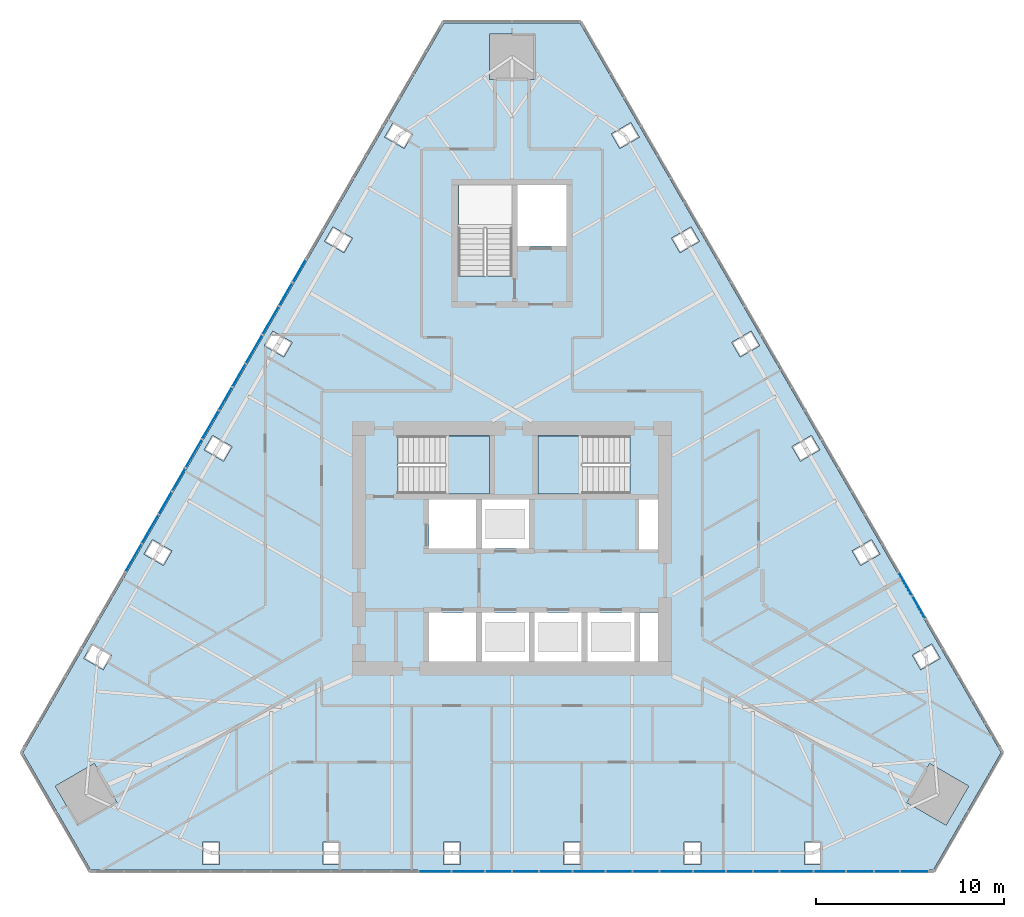
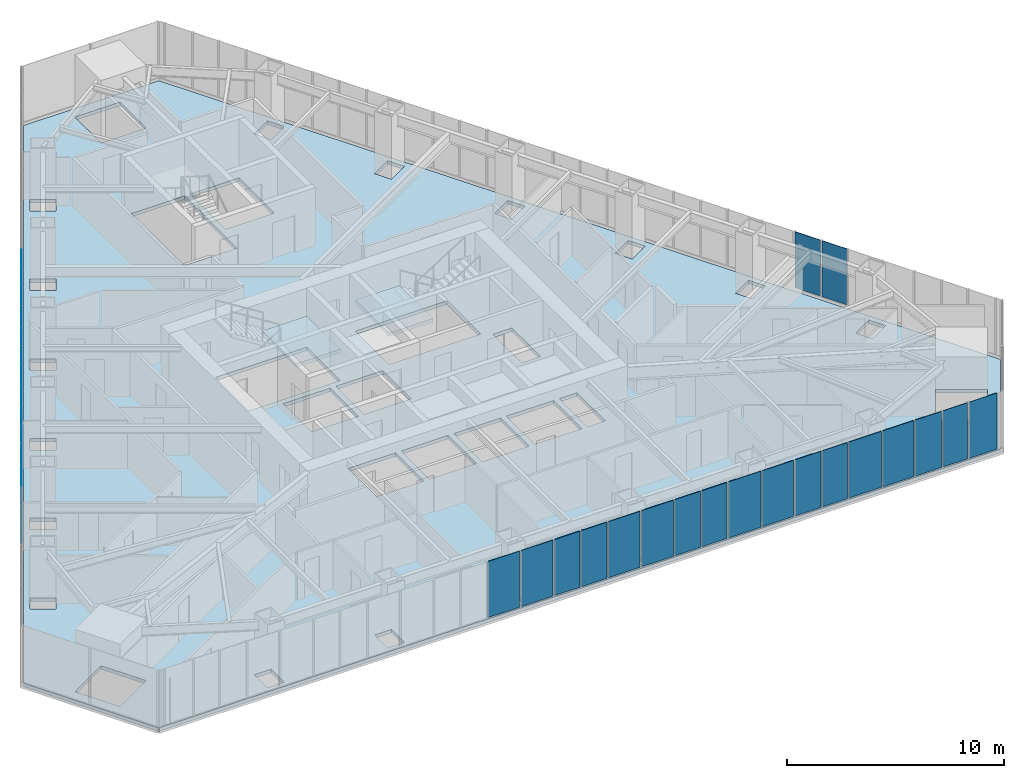
# One storey, part 12 of 21: 31 plates, 3 slabs, 5 elements without a shape of their own.
"""IFC4 building model written with IfcOpenShell, lengths in metres."""

from ifc_helpers import new_model, si_unit, direction, frame, origin, place, context, subcontext, project, spatial, polyline, outline, extrude, material, layer, layer_set, type_object, element, aggregate, save


model = new_model("IFC4")

# Units and contexts
model_context = context("Model", 3, precision=1e-05, world=origin(), true_north=direction((0.0, 1.0)))
body_context = subcontext(model_context, "Body", "Model", "MODEL_VIEW")
ifc_project = project(units=[si_unit("LENGTHUNIT", "METRE"), si_unit("AREAUNIT", "SQUARE_METRE"), si_unit("VOLUMEUNIT", "CUBIC_METRE"), si_unit("PLANEANGLEUNIT", "RADIAN"), si_unit("MASSUNIT", "GRAM", prefix="KILO")], contexts=[model_context])

# Site, building, storey
site_placement = place(None, origin())
site = spatial("IfcSite", under=ifc_project, at=site_placement, CompositionType="ELEMENT")
building_placement = place(site_placement, origin())
building = spatial("IfcBuilding", under=site, at=building_placement, Name="Firuza Gate Tower and Library", CompositionType="ELEMENT")
storey_placement = place(building_placement, frame((0.0, 0.0, 284.60009765625)))
storey = spatial("IfcBuildingStorey", under=building, at=storey_placement, Name="L68", CompositionType="ELEMENT", Elevation=284.60009765625)

# Slab
ifc_material_1 = material(Name="Concrete C40/50", Category="concrete")
ifc_layer_1 = layer(ifc_material_1, 0.199951171875)
ifc_layer_set_1 = layer_set([ifc_layer_1], Name="Composite floor slab 200 C40/50")
slab_type_1 = type_object("IfcSlabType", Name="Composite floor slab 200 C40/50", PredefinedType="FLOOR", material=ifc_layer_set_1)
slab_1_placement = place(storey_placement, frame((0.0, 0.0, -0.2001953125)))
element("IfcSlab", 1, at=slab_1_placement, inside=storey, type_object=slab_type_1, Name="Floor slab L68", PredefinedType="FLOOR", context=body_context, shape_type="SweptSolid", body=[
    extrude(outline(polyline([(49.037353515625, 64.16748046875), (52.637451171875, 57.931884765625), (97.362548828125, 57.931884765625), (100.962646484375, 64.16748046875), (78.60009765625, 102.900634765625), (71.39990234375, 102.900634765625), (49.037353515625, 64.16748046875)]), holes=[polyline([(58.57666015625, 58.23193359375), (58.57666015625, 59.431884765625), (59.4765625, 59.431884765625), (59.4765625, 58.23193359375), (58.57666015625, 58.23193359375)]), polyline([(64.966064453125, 58.23193359375), (64.966064453125, 59.431884765625), (65.865966796875, 59.431884765625), (65.865966796875, 58.23193359375), (64.966064453125, 58.23193359375)]), polyline([(71.355224609375, 58.23193359375), (71.355224609375, 59.431884765625), (72.25537109375, 59.431884765625), (72.25537109375, 58.23193359375), (71.355224609375, 58.23193359375)]), polyline([(50.7568359375, 62.388916015625), (52.83544921875, 63.5888671875), (54.035400390625, 61.510498046875), (51.95703125, 60.310546875), (50.7568359375, 62.388916015625)]), polyline([(52.716796875, 69.9404296875), (53.756103515625, 69.34033203125), (53.30615234375, 68.56103515625), (52.266845703125, 69.160888671875), (52.716796875, 69.9404296875)]), polyline([(73.10009765625, 69.0), (70.60009765625, 69.0), (70.60009765625, 71.60009765625), (73.10009765625, 71.60009765625), (73.10009765625, 69.0)]), polyline([(75.89990234375, 69.0), (73.39990234375, 69.0), (73.39990234375, 71.60009765625), (75.89990234375, 71.60009765625), (75.89990234375, 69.0)]), polyline([(55.911376953125, 75.4736328125), (56.95068359375, 74.873779296875), (56.500732421875, 74.09423828125), (55.46142578125, 74.6943359375), (55.911376953125, 75.4736328125)]), polyline([(73.10009765625, 75.0), (70.60009765625, 75.0), (70.60009765625, 77.60009765625), (73.10009765625, 77.60009765625), (73.10009765625, 75.0)]), polyline([(75.89990234375, 75.0), (73.39990234375, 75.0), (73.39990234375, 77.60009765625), (75.89990234375, 77.60009765625), (75.89990234375, 75.0)]), polyline([(68.9404296875, 77.89990234375), (68.9404296875, 80.97998046875), (73.81005859375, 80.97998046875), (73.81005859375, 77.89990234375), (68.9404296875, 77.89990234375)]), polyline([(59.106201171875, 81.007080078125), (60.145263671875, 80.406982421875), (59.6953125, 79.627685546875), (58.65625, 80.2275390625), (59.106201171875, 81.007080078125)]), polyline([(62.30078125, 86.540283203125), (63.340087890625, 85.9404296875), (62.89013671875, 85.160888671875), (61.850830078125, 85.760986328125), (62.30078125, 86.540283203125)]), polyline([(65.495361328125, 92.07373046875), (66.53466796875, 91.4736328125), (66.084716796875, 90.6943359375), (65.04541015625, 91.294189453125), (65.495361328125, 92.07373046875)]), polyline([(72.159912109375, 89.470458984375), (72.159912109375, 94.300048828125), (75.0, 94.300048828125), (75.0, 89.470458984375), (72.159912109375, 89.470458984375)]), polyline([(68.690185546875, 97.60693359375), (69.7294921875, 97.007080078125), (69.279296875, 96.2275390625), (68.240234375, 96.82763671875), (68.690185546875, 97.60693359375)]), polyline([(76.199951171875, 102.300537109375), (76.199951171875, 99.900634765625), (73.800048828125, 99.900634765625), (73.800048828125, 102.300537109375), (76.199951171875, 102.300537109375)]), polyline([(77.74462890625, 58.23193359375), (77.74462890625, 59.431884765625), (78.644775390625, 59.431884765625), (78.644775390625, 58.23193359375), (77.74462890625, 58.23193359375)]), polyline([(84.134033203125, 58.23193359375), (84.134033203125, 59.431884765625), (85.033935546875, 59.431884765625), (85.033935546875, 58.23193359375), (84.134033203125, 58.23193359375)]), polyline([(90.5234375, 58.23193359375), (90.5234375, 59.431884765625), (91.42333984375, 59.431884765625), (91.42333984375, 58.23193359375), (90.5234375, 58.23193359375)]), polyline([(98.04296875, 60.310546875), (95.964599609375, 61.510498046875), (97.16455078125, 63.5888671875), (99.2431640625, 62.388916015625), (98.04296875, 60.310546875)]), polyline([(97.733154296875, 69.160888671875), (96.69384765625, 68.56103515625), (96.243896484375, 69.34033203125), (97.283203125, 69.9404296875), (97.733154296875, 69.160888671875)]), polyline([(78.699951171875, 69.0), (76.199951171875, 69.0), (76.199951171875, 71.60009765625), (78.699951171875, 71.60009765625), (78.699951171875, 69.0)]), polyline([(81.5, 69.0), (79.0, 69.0), (79.0, 71.60009765625), (81.5, 71.60009765625), (81.5, 69.0)]), polyline([(82.75, 69.0), (81.800048828125, 69.0), (81.800048828125, 71.60009765625), (82.75, 71.60009765625), (82.75, 69.0)]), polyline([(94.53857421875, 74.6943359375), (93.499267578125, 74.09423828125), (93.04931640625, 74.873779296875), (94.088623046875, 75.4736328125), (94.53857421875, 74.6943359375)]), polyline([(82.75, 74.949951171875), (81.75, 74.949951171875), (81.75, 77.60009765625), (82.75, 77.60009765625), (82.75, 74.949951171875)]), polyline([(81.259521484375, 80.97998046875), (81.259521484375, 77.89990234375), (76.389892578125, 77.89990234375), (76.389892578125, 80.97998046875), (81.259521484375, 80.97998046875)]), polyline([(91.34375, 80.2275390625), (90.3046875, 79.627685546875), (89.854736328125, 80.406982421875), (90.893798828125, 81.007080078125), (91.34375, 80.2275390625)]), polyline([(88.149169921875, 85.760986328125), (87.10986328125, 85.160888671875), (86.659912109375, 85.9404296875), (87.69921875, 86.540283203125), (88.149169921875, 85.760986328125)]), polyline([(84.95458984375, 91.294189453125), (83.915283203125, 90.6943359375), (83.46533203125, 91.4736328125), (84.504638671875, 92.07373046875), (84.95458984375, 91.294189453125)]), polyline([(75.300048828125, 91.050048828125), (75.300048828125, 94.300048828125), (77.89990234375, 94.300048828125), (77.89990234375, 91.050048828125), (75.300048828125, 91.050048828125)]), polyline([(80.720703125, 96.2275390625), (80.2705078125, 97.007080078125), (81.309814453125, 97.60693359375), (81.759765625, 96.82763671875), (80.720703125, 96.2275390625)])]), origin(), (0.0, 0.0, 1.0), 0.2001953125),
])

# Curtain wall, plates
ifc_material_2 = material(Name="Aluminium 6063-T6", Category="aluminium")
ifc_layer_2 = layer(ifc_material_2, 0.14990234375)
ifc_layer_set_2 = layer_set([ifc_layer_2], Name="Unitised curtain wall, residences")
curtain_wall_type = type_object("IfcCurtainWallType", Name="Unitised curtain wall, residences", PredefinedType="NOTDEFINED", material=ifc_layer_set_2)
placement_1 = place(storey_placement, origin())
curtain_wall_1 = element("IfcCurtainWall", 2, at=placement_1, inside=storey, type_object=curtain_wall_type, Name="CW3 L68 S face", PredefinedType="NOTDEFINED")
ifc_material_3 = material(Name="Fritted glass", Category="glass")
ifc_layer_3 = layer(ifc_material_3, 0.030029296875)
ifc_layer_set_3 = layer_set([ifc_layer_3], Name="Fritted glass unit, residences")
plate_type_1 = type_object("IfcPlateType", Name="Fritted glass unit, residences", PredefinedType="CURTAIN_PANEL", material=ifc_layer_set_3)
plate_1_placement = place(storey_placement, frame((70.0791015625, 57.842041015625, 0.14990234375), z_axis=(0.0, -1.0, 0.0), x_axis=(1.0, 0.0, 0.0)))
plate_1 = element("IfcPlate", 3, at=plate_1_placement, type_object=plate_type_1, Name="Glass unit", PredefinedType="CURTAIN_PANEL", context=body_context, shape_type="SweptSolid", body=[
    extrude(outline(polyline([(0.0, 0.0), (1.679931640625, 0.0), (1.679931640625, 3.14990234375), (0.0, 3.14990234375), (0.0, 0.0)])), origin(), (0.0, 0.0, -1.0), 0.030029296875),
])
plate_2_placement = place(storey_placement, frame((71.839111328125, 57.842041015625, 0.14990234375), z_axis=(0.0, -1.0, 0.0), x_axis=(1.0, 0.0, 0.0)))
plate_2 = element("IfcPlate", 4, at=plate_2_placement, type_object=plate_type_1, Name="Glass unit", PredefinedType="CURTAIN_PANEL", context=body_context, shape_type="SweptSolid", body=[
    extrude(outline(polyline([(0.0, 0.0), (1.692626953125, 0.0), (1.692626953125, 3.14990234375), (0.0, 3.14990234375), (0.0, 0.0)])), origin(), (0.0, 0.0, -1.0), 0.030029296875),
])
plate_3_placement = place(storey_placement, frame((76.46826171875, 57.842041015625, 0.14990234375), z_axis=(0.0, -1.0, 0.0), x_axis=(1.0, 0.0, 0.0)))
plate_3 = element("IfcPlate", 5, at=plate_3_placement, type_object=plate_type_1, Name="Glass unit", PredefinedType="CURTAIN_PANEL", context=body_context, shape_type="SweptSolid", body=[
    extrude(outline(polyline([(0.0, 0.0), (1.692626953125, 0.0), (1.692626953125, 3.14990234375), (0.0, 3.14990234375), (0.0, 0.0)])), origin(), (0.0, 0.0, -1.0), 0.030029296875),
])
plate_4_placement = place(storey_placement, frame((78.240966796875, 57.842041015625, 0.14990234375), z_axis=(0.0, -1.0, 0.0), x_axis=(1.0, 0.0, 0.0)))
plate_4 = element("IfcPlate", 6, at=plate_4_placement, type_object=plate_type_1, Name="Glass unit", PredefinedType="CURTAIN_PANEL", context=body_context, shape_type="SweptSolid", body=[
    extrude(outline(polyline([(0.0, 0.0), (1.679931640625, 0.0), (1.679931640625, 3.14990234375), (0.0, 3.14990234375), (0.0, 0.0)])), origin(), (0.0, 0.0, -1.0), 0.030029296875),
])
plate_5_placement = place(storey_placement, frame((82.857666015625, 57.842041015625, 0.14990234375), z_axis=(0.0, -1.0, 0.0), x_axis=(1.0, 0.0, 0.0)))
plate_5 = element("IfcPlate", 7, at=plate_5_placement, type_object=plate_type_1, Name="Glass unit", PredefinedType="CURTAIN_PANEL", context=body_context, shape_type="SweptSolid", body=[
    extrude(outline(polyline([(0.0, 0.0), (1.704833984375, 0.0), (1.704833984375, 3.14990234375), (0.0, 3.14990234375), (0.0, 0.0)])), origin(), (0.0, 0.0, -1.0), 0.030029296875),
])
plate_6_placement = place(storey_placement, frame((84.642578125, 57.842041015625, 0.14990234375), z_axis=(0.0, -1.0, 0.0), x_axis=(1.0, 0.0, 0.0)))
plate_6 = element("IfcPlate", 8, at=plate_6_placement, type_object=plate_type_1, Name="Glass unit", PredefinedType="CURTAIN_PANEL", context=body_context, shape_type="SweptSolid", body=[
    extrude(outline(polyline([(0.0, 0.0), (1.667724609375, 0.0), (1.667724609375, 3.14990234375), (0.0, 3.14990234375), (0.0, 0.0)])), origin(), (0.0, 0.0, -1.0), 0.030029296875),
])
plate_7_placement = place(storey_placement, frame((89.2470703125, 57.842041015625, 0.14990234375), z_axis=(0.0, -1.0, 0.0), x_axis=(1.0, 0.0, 0.0)))
plate_7 = element("IfcPlate", 9, at=plate_7_placement, type_object=plate_type_1, Name="Glass unit", PredefinedType="CURTAIN_PANEL", context=body_context, shape_type="SweptSolid", body=[
    extrude(outline(polyline([(0.0, 0.0), (1.71728515625, 0.0), (1.71728515625, 3.14990234375), (0.0, 3.14990234375), (0.0, 0.0)])), origin(), (0.0, 0.0, -1.0), 0.030029296875),
])
plate_8_placement = place(storey_placement, frame((91.044189453125, 57.842041015625, 0.14990234375), z_axis=(0.0, -1.0, 0.0), x_axis=(1.0, 0.0, 0.0)))
plate_8 = element("IfcPlate", 10, at=plate_8_placement, type_object=plate_type_1, Name="Glass unit", PredefinedType="CURTAIN_PANEL", context=body_context, shape_type="SweptSolid", body=[
    extrude(outline(polyline([(0.0, 0.0), (1.655517578125, 0.0), (1.655517578125, 3.14990234375), (0.0, 3.14990234375), (0.0, 0.0)])), origin(), (0.0, 0.0, -1.0), 0.030029296875),
])
plate_9_placement = place(storey_placement, frame((95.63623046875, 57.842041015625, 0.14990234375), z_axis=(0.0, -1.0, 0.0), x_axis=(1.0, 0.0, 0.0)))
plate_9 = element("IfcPlate", 11, at=plate_9_placement, type_object=plate_type_1, Name="Glass unit", PredefinedType="CURTAIN_PANEL", context=body_context, shape_type="SweptSolid", body=[
    extrude(outline(polyline([(0.0, 0.0), (1.463623046875, 0.0), (1.463623046875, 3.14990234375), (0.0, 3.14990234375), (0.0, 0.0)])), origin(), (0.0, 0.0, -1.0), 0.030029296875),
])

curtain_wall_2 = element("IfcCurtainWall", 12, at=placement_1, inside=storey, type_object=curtain_wall_type, Name="CW3 L68 W face", PredefinedType="NOTDEFINED")
plate_10_placement = place(storey_placement, frame((62.601318359375, 87.8408203125, 0.14990234375), z_axis=(-0.866025882247, 0.499999171277, 0.0), x_axis=(-0.499999171277, -0.866025882247, 0.0)))
plate_10 = element("IfcPlate", 13, at=plate_10_placement, type_object=plate_type_1, Name="Glass unit", PredefinedType="CURTAIN_PANEL", context=body_context, shape_type="SweptSolid", body=[
    extrude(outline(polyline([(0.0, 0.0), (1.6801785660542983, 0.0), (1.6801785660542983, 3.14990234375), (0.0, 3.14990234375), (0.0, 0.0)])), origin(), (0.0, 0.0, -1.0), 0.030029296875),
])
plate_11_placement = place(storey_placement, frame((61.72119140625, 86.31640625, 0.14990234375), z_axis=(-0.866051074803, 0.499955533855, 0.0), x_axis=(-0.499955533855, -0.866051074803, 0.0)))
plate_11 = element("IfcPlate", 14, at=plate_11_placement, type_object=plate_type_1, Name="Glass unit", PredefinedType="CURTAIN_PANEL", context=body_context, shape_type="SweptSolid", body=[
    extrude(outline(polyline([(0.0, 0.0), (1.692533333364206, 0.0), (1.692533333364206, 3.14990234375), (0.0, 3.14990234375), (0.0, 0.0)])), origin(), (0.0, 0.0, -1.0), 0.030029296875),
])
plate_12_placement = place(storey_placement, frame((59.406494140625, 82.307373046875, 0.14990234375), z_axis=(-0.866051074803, 0.499955533855, 0.0), x_axis=(-0.499955533855, -0.866051074803, 0.0)))
plate_12 = element("IfcPlate", 15, at=plate_12_placement, type_object=plate_type_1, Name="Glass unit", PredefinedType="CURTAIN_PANEL", context=body_context, shape_type="SweptSolid", body=[
    extrude(outline(polyline([(0.0, 0.0), (1.692533333364206, 0.0), (1.692533333364206, 3.14990234375), (0.0, 3.14990234375), (0.0, 0.0)])), origin(), (0.0, 0.0, -1.0), 0.030029296875),
])
plate_13_placement = place(storey_placement, frame((58.520263671875, 80.7724609375, 0.14990234375), z_axis=(-0.866025882247, 0.499999171277, 0.0), x_axis=(-0.499999171277, -0.866025882247, 0.0)))
plate_13 = element("IfcPlate", 16, at=plate_13_placement, type_object=plate_type_1, Name="Glass unit", PredefinedType="CURTAIN_PANEL", context=body_context, shape_type="SweptSolid", body=[
    extrude(outline(polyline([(0.0, 0.0), (1.6801785660542983, 0.0), (1.6801785660542983, 3.14990234375), (0.0, 3.14990234375), (0.0, 0.0)])), origin(), (0.0, 0.0, -1.0), 0.030029296875),
])
plate_14_placement = place(storey_placement, frame((56.2119140625, 76.774169921875, 0.14990234375), z_axis=(-0.866013897511, 0.50001992892, 0.0), x_axis=(-0.50001992892, -0.866013897511, 0.0)))
plate_14 = element("IfcPlate", 17, at=plate_14_placement, type_object=plate_type_1, Name="Glass unit", PredefinedType="CURTAIN_PANEL", context=body_context, shape_type="SweptSolid", body=[
    extrude(outline(polyline([(0.0, 0.0), (1.7050101669769095, 0.0), (1.7050101669769095, 3.14990234375), (0.0, 3.14990234375), (0.0, 0.0)])), origin(), (0.0, 0.0, -1.0), 0.030029296875),
])
plate_15_placement = place(storey_placement, frame((55.3193359375, 75.228271484375, 0.14990234375), z_axis=(-0.866063701145, 0.499933661158, 0.0), x_axis=(-0.499933661158, -0.866063701145, 0.0)))
plate_15 = element("IfcPlate", 18, at=plate_15_placement, type_object=plate_type_1, Name="Glass unit", PredefinedType="CURTAIN_PANEL", context=body_context, shape_type="SweptSolid", body=[
    extrude(outline(polyline([(0.0, 0.0), (1.667701735553958, 0.0), (1.667701735553958, 3.149902343750001), (0.0, 3.149902343750001), (0.0, 0.0)])), origin(), (0.0, 0.0, -1.0), 0.030029296875),
])

# Plate
ifc_material_4 = material(Name="Glazed ceramic tile")
ifc_layer_4 = layer(ifc_material_4, 0.030029296875)
ifc_layer_set_4 = layer_set([ifc_layer_4], Name="Opaque ceramic panel, residences")
plate_type_2 = type_object("IfcPlateType", Name="Opaque ceramic panel, residences", PredefinedType="CURTAIN_PANEL", material=ifc_layer_set_4)
plate_16_placement = place(storey_placement, frame((73.611572265625, 57.842041015625, 0.14990234375), z_axis=(0.0, -1.0, 0.0), x_axis=(1.0, 0.0, 0.0)))
plate_16 = element("IfcPlate", 19, at=plate_16_placement, type_object=plate_type_2, Name="Opaque ceramic panel", PredefinedType="CURTAIN_PANEL", context=body_context, shape_type="SweptSolid", body=[
    extrude(outline(polyline([(0.0, 0.0), (1.348388671875, 0.0), (1.348388671875, 3.14990234375), (0.0, 3.14990234375), (0.0, 0.0)])), origin(), (0.0, 0.0, -1.0), 0.030029296875),
])

plate_17_placement = place(storey_placement, frame((75.0400390625, 57.842041015625, 0.14990234375), z_axis=(0.0, -1.0, 0.0), x_axis=(1.0, 0.0, 0.0)))
plate_17 = element("IfcPlate", 20, at=plate_17_placement, type_object=plate_type_2, Name="Opaque ceramic panel", PredefinedType="CURTAIN_PANEL", context=body_context, shape_type="SweptSolid", body=[
    extrude(outline(polyline([(0.0, 0.0), (1.348388671875, 0.0), (1.348388671875, 3.14990234375), (0.0, 3.14990234375), (0.0, 0.0)])), origin(), (0.0, 0.0, -1.0), 0.030029296875),
])

plate_18_placement = place(storey_placement, frame((80.0009765625, 57.842041015625, 0.14990234375), z_axis=(0.0, -1.0, 0.0), x_axis=(1.0, 0.0, 0.0)))
plate_18 = element("IfcPlate", 21, at=plate_18_placement, type_object=plate_type_2, Name="Opaque ceramic panel", PredefinedType="CURTAIN_PANEL", context=body_context, shape_type="SweptSolid", body=[
    extrude(outline(polyline([(0.0, 0.0), (1.36083984375, 0.0), (1.36083984375, 3.14990234375), (0.0, 3.14990234375), (0.0, 0.0)])), origin(), (0.0, 0.0, -1.0), 0.030029296875),
])

plate_19_placement = place(storey_placement, frame((81.441650390625, 57.842041015625, 0.14990234375), z_axis=(0.0, -1.0, 0.0), x_axis=(1.0, 0.0, 0.0)))
plate_19 = element("IfcPlate", 22, at=plate_19_placement, type_object=plate_type_2, Name="Opaque ceramic panel", PredefinedType="CURTAIN_PANEL", context=body_context, shape_type="SweptSolid", body=[
    extrude(outline(polyline([(0.0, 0.0), (1.3359375, 0.0), (1.3359375, 3.14990234375), (0.0, 3.14990234375), (0.0, 0.0)])), origin(), (0.0, 0.0, -1.0), 0.030029296875),
])

plate_20_placement = place(storey_placement, frame((86.390380859375, 57.842041015625, 0.14990234375), z_axis=(0.0, -1.0, 0.0), x_axis=(1.0, 0.0, 0.0)))
plate_20 = element("IfcPlate", 23, at=plate_20_placement, type_object=plate_type_2, Name="Opaque ceramic panel", PredefinedType="CURTAIN_PANEL", context=body_context, shape_type="SweptSolid", body=[
    extrude(outline(polyline([(0.0, 0.0), (1.373046875, 0.0), (1.373046875, 3.14990234375), (0.0, 3.14990234375), (0.0, 0.0)])), origin(), (0.0, 0.0, -1.0), 0.030029296875),
])

plate_21_placement = place(storey_placement, frame((87.843505859375, 57.842041015625, 0.14990234375), z_axis=(0.0, -1.0, 0.0), x_axis=(1.0, 0.0, 0.0)))
plate_21 = element("IfcPlate", 24, at=plate_21_placement, type_object=plate_type_2, Name="Opaque ceramic panel", PredefinedType="CURTAIN_PANEL", context=body_context, shape_type="SweptSolid", body=[
    extrude(outline(polyline([(0.0, 0.0), (1.323486328125, 0.0), (1.323486328125, 3.14990234375), (0.0, 3.14990234375), (0.0, 0.0)])), origin(), (0.0, 0.0, -1.0), 0.030029296875),
])

plate_22_placement = place(storey_placement, frame((92.77978515625, 57.842041015625, 0.14990234375), z_axis=(0.0, -1.0, 0.0), x_axis=(1.0, 0.0, 0.0)))
plate_22 = element("IfcPlate", 25, at=plate_22_placement, type_object=plate_type_2, Name="Opaque ceramic panel", PredefinedType="CURTAIN_PANEL", context=body_context, shape_type="SweptSolid", body=[
    extrude(outline(polyline([(0.0, 0.0), (1.38525390625, 0.0), (1.38525390625, 3.14990234375), (0.0, 3.14990234375), (0.0, 0.0)])), origin(), (0.0, 0.0, -1.0), 0.030029296875),
])

plate_23_placement = place(storey_placement, frame((94.2451171875, 57.842041015625, 0.14990234375), z_axis=(0.0, -1.0, 0.0), x_axis=(1.0, 0.0, 0.0)))
plate_23 = element("IfcPlate", 26, at=plate_23_placement, type_object=plate_type_2, Name="Opaque ceramic panel", PredefinedType="CURTAIN_PANEL", context=body_context, shape_type="SweptSolid", body=[
    extrude(outline(polyline([(0.0, 0.0), (1.311279296875, 0.0), (1.311279296875, 3.14990234375), (0.0, 3.14990234375), (0.0, 0.0)])), origin(), (0.0, 0.0, -1.0), 0.030029296875),
])

aggregate(curtain_wall_1, [plate_1, plate_2, plate_16, plate_17, plate_3, plate_4, plate_18, plate_19, plate_5, plate_6, plate_20, plate_21, plate_7, plate_8, plate_22, plate_23, plate_9])

# Curtain wall, plates
curtain_wall_3 = element("IfcCurtainWall", 27, at=placement_1, inside=storey, type_object=curtain_wall_type, Name="CW3 L68 E face", PredefinedType="NOTDEFINED")
plate_24_placement = place(storey_placement, frame((96.94287109375, 71.31005859375, 0.14990234375), z_axis=(0.865998207978, 0.500047101561, 0.0), x_axis=(-0.500047101561, 0.865998207978, 0.0)))
plate_24 = element("IfcPlate", 28, at=plate_24_placement, type_object=plate_type_2, Name="Opaque ceramic panel", PredefinedType="CURTAIN_PANEL", context=body_context, shape_type="SweptSolid", body=[
    extrude(outline(polyline([(0.0, 0.0), (1.3236057809538038, 0.0), (1.3236057809538038, 3.149902343750001), (0.0, 3.149902343750001), (0.0, 0.0)])), origin(), (0.0, 0.0, -1.0), 0.030029296875),
])
plate_25_placement = place(storey_placement, frame((96.240966796875, 72.525634765625, 0.14990234375), z_axis=(0.866001980287, 0.500040568494, 0.0), x_axis=(-0.500040568494, 0.866001980287, 0.0)))
plate_25 = element("IfcPlate", 29, at=plate_25_placement, type_object=plate_type_2, Name="Opaque ceramic panel", PredefinedType="CURTAIN_PANEL", context=body_context, shape_type="SweptSolid", body=[
    extrude(outline(polyline([(0.0, 0.0), (1.372935479150524, 0.0), (1.372935479150524, 3.14990234375), (0.0, 3.14990234375), (0.0, 0.0)])), origin(), (0.0, 0.0, -1.0), 0.030029296875),
])
aggregate(curtain_wall_3, [plate_24, plate_25])

# Plate
plate_26_placement = place(storey_placement, frame((64.029541015625, 90.314697265625, 0.14990234375), z_axis=(-0.866030383119, 0.499991375441, 0.0), x_axis=(-0.499991375441, -0.866030383119, 0.0)))
plate_26 = element("IfcPlate", 30, at=plate_26_placement, type_object=plate_type_2, Name="Opaque ceramic panel", PredefinedType="CURTAIN_PANEL", context=body_context, shape_type="SweptSolid", body=[
    extrude(outline(polyline([(0.0, 0.0), (1.3359605441420428, 0.0), (1.3359605441420428, 3.14990234375), (0.0, 3.14990234375), (0.0, 0.0)])), origin(), (0.0, 0.0, -1.0), 0.030029296875),
])

plate_27_placement = place(storey_placement, frame((63.321533203125, 89.08837890625, 0.14990234375), z_axis=(-0.866015284814, 0.500017526161, 0.0), x_axis=(-0.500017526161, -0.866015284814, 0.0)))
plate_27 = element("IfcPlate", 31, at=plate_27_placement, type_object=plate_type_2, Name="Opaque ceramic panel", PredefinedType="CURTAIN_PANEL", context=body_context, shape_type="SweptSolid", body=[
    extrude(outline(polyline([(0.0, 0.0), (1.3607921448263887, 0.0), (1.3607921448263887, 3.1499023437499996), (0.0, 3.1499023437499996), (0.0, 0.0)])), origin(), (0.0, 0.0, -1.0), 0.030029296875),
])

plate_28_placement = place(storey_placement, frame((60.8349609375, 84.78125, 0.14990234375), z_axis=(-0.865938274818, 0.50015088144, 0.0), x_axis=(-0.50015088144, -0.865938274818, 0.0)))
plate_28 = element("IfcPlate", 32, at=plate_28_placement, type_object=plate_type_2, Name="Opaque ceramic panel", PredefinedType="CURTAIN_PANEL", context=body_context, shape_type="SweptSolid", body=[
    extrude(outline(polyline([(0.0, 0.0), (1.3482259679484871, 0.0), (1.3482259679484871, 3.14990234375), (0.0, 3.14990234375), (0.0, 0.0)])), origin(), (0.0, 0.0, -1.0), 0.030029296875),
])

plate_29_placement = place(storey_placement, frame((60.12060546875, 83.54443359375, 0.14990234375), z_axis=(-0.866061965123, 0.499936668556, 0.0), x_axis=(-0.499936668556, -0.866061965123, 0.0)))
plate_29 = element("IfcPlate", 33, at=plate_29_placement, type_object=plate_type_2, Name="Opaque ceramic panel", PredefinedType="CURTAIN_PANEL", context=body_context, shape_type="SweptSolid", body=[
    extrude(outline(polyline([(0.0, 0.0), (1.348315312760638, 0.0), (1.348315312760638, 3.14990234375), (0.0, 3.14990234375), (0.0, 0.0)])), origin(), (0.0, 0.0, -1.0), 0.030029296875),
])

plate_30_placement = place(storey_placement, frame((57.64013671875, 79.248046875, 0.14990234375), z_axis=(-0.866092970241, 0.499882953199, 0.0), x_axis=(-0.499882953199, -0.866092970241, 0.0)))
plate_30 = element("IfcPlate", 34, at=plate_30_placement, type_object=plate_type_2, Name="Opaque ceramic panel", PredefinedType="CURTAIN_PANEL", context=body_context, shape_type="SweptSolid", body=[
    extrude(outline(polyline([(0.0, 0.0), (1.3606700866616677, 0.0), (1.3606700866616677, 3.14990234375), (0.0, 3.14990234375), (0.0, 0.0)])), origin(), (0.0, 0.0, -1.0), 0.030029296875),
])

plate_31_placement = place(storey_placement, frame((56.919921875, 78.000244140625, 0.14990234375), z_axis=(-0.866030383119, 0.499991375441, 0.0), x_axis=(-0.499991375441, -0.866030383119, 0.0)))
plate_31 = element("IfcPlate", 35, at=plate_31_placement, type_object=plate_type_2, Name="Opaque ceramic panel", PredefinedType="CURTAIN_PANEL", context=body_context, shape_type="SweptSolid", body=[
    extrude(outline(polyline([(0.0, 0.0), (1.3359605441420428, 0.0), (1.3359605441420428, 3.14990234375), (0.0, 3.14990234375), (0.0, 0.0)])), origin(), (0.0, 0.0, -1.0), 0.030029296875),
])

aggregate(curtain_wall_2, [plate_26, plate_27, plate_10, plate_11, plate_28, plate_29, plate_12, plate_13, plate_30, plate_31, plate_14, plate_15])

# Stair, slab
ifc_material_5 = material(Name="Concrete C35/45", Category="concrete")
stair_type = type_object("IfcStairType", Name="Exit stair ST8", PredefinedType="HALF_TURN_STAIR", material=ifc_material_5)
stair_1 = element("IfcStair", 36, at=placement_1, inside=storey, type_object=stair_type, Name="L68 Stair ST1", PredefinedType="HALF_TURN_STAIR")
ifc_material_6 = material(Name="Concrete C35/45", Category="concrete")
ifc_layer_5 = layer(ifc_material_6, 0.199951171875)
ifc_layer_set_5 = layer_set([ifc_layer_5], Name="Stair landing 200")
slab_type_2 = type_object("IfcSlabType", Name="Stair landing 200", PredefinedType="LANDING", material=ifc_layer_set_5)
placement_2 = place(storey_placement, frame((0.0, 0.0, 1.5498046875)))
slab_2 = element("IfcSlab", 37, at=placement_2, type_object=slab_type_2, Name="ST1 landing 1", PredefinedType="LANDING", context=body_context, shape_type="SweptSolid", body=[
    extrude(outline(polyline([(71.4599609375, 77.89990234375), (73.81005859375, 77.89990234375), (73.81005859375, 80.97998046875), (71.4599609375, 80.97998046875), (71.4599609375, 77.89990234375)])), origin(), (0.0, 0.0, 1.0), 0.2001953125),
])
aggregate(stair_1, [slab_2])

stair_2 = element("IfcStair", 38, at=placement_1, inside=storey, type_object=stair_type, Name="L68 Stair ST2", PredefinedType="HALF_TURN_STAIR")
slab_3 = element("IfcSlab", 39, at=placement_2, type_object=slab_type_2, Name="ST2 landing 1", PredefinedType="LANDING", context=body_context, shape_type="SweptSolid", body=[
    extrude(outline(polyline([(78.739990234375, 80.97998046875), (76.389892578125, 80.97998046875), (76.389892578125, 77.89990234375), (78.739990234375, 77.89990234375), (78.739990234375, 80.97998046875)])), origin(), (0.0, 0.0, 1.0), 0.2001953125),
])
aggregate(stair_2, [slab_3])

save(model, "model.ifc")
